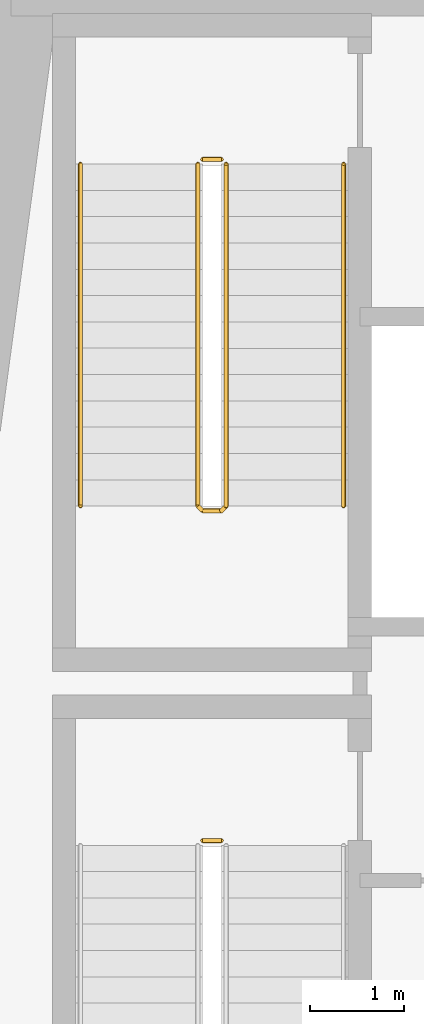
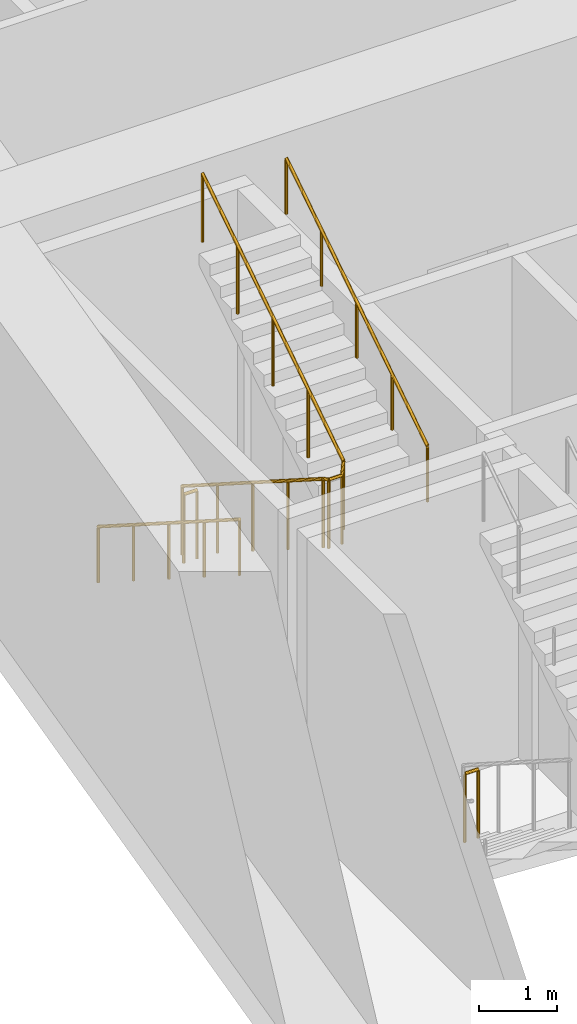
# One storey, part 10 of 12: 5 railings.
"""IFC4 building model written with IfcOpenShell, lengths in metres."""

from ifc_helpers import new_model, si_unit, direction, frame, origin, origin_2d, place, context, subcontext, project, spatial, circle, extrude, material, type_object, element, save


model = new_model("IFC4")

# Units and contexts
model_context = context("Model", 3, precision=1e-05, world=origin(), true_north=direction((0.0, 1.0)))
body_context = subcontext(model_context, "Body", "Model", "MODEL_VIEW")
ifc_project = project(units=[si_unit("LENGTHUNIT", "METRE"), si_unit("AREAUNIT", "SQUARE_METRE"), si_unit("VOLUMEUNIT", "CUBIC_METRE"), si_unit("PLANEANGLEUNIT", "RADIAN"), si_unit("MASSUNIT", "GRAM", prefix="KILO")], contexts=[model_context])

# Site, building, storey
site_placement = place(None, origin())
site = spatial("IfcSite", under=ifc_project, at=site_placement, CompositionType="ELEMENT")
building_placement = place(site_placement, origin())
building = spatial("IfcBuilding", under=site, at=building_placement, Name="Candeia Pilgrim Tower and Theatre", CompositionType="ELEMENT")
storey_placement = place(building_placement, frame((0.0, 0.0, 81.0)))
storey = spatial("IfcBuildingStorey", under=building, at=storey_placement, Name="L18", CompositionType="ELEMENT", Elevation=81.0)

# Railings
ifc_material_1 = material(Name="Stainless steel balustrade", Category="steel")
railing_type_1 = type_object("IfcRailingType", Name="RL-GUARD-1100", PredefinedType="GUARDRAIL", material=ifc_material_1)
railing_1_placement = place(storey_placement, frame((91.152099609375, 122.52490234375, 0.0)))
element("IfcRailing", 1, at=railing_1_placement, inside=storey, type_object=railing_type_1, Name="L18 ST1 stair guard 2", PredefinedType="GUARDRAIL", context=body_context, shape_type="SweptSolid", body=[
    extrude(circle(Radius=0.02392578125, at=origin_2d()), frame((0.0, 0.0, 1.076171875), z_axis=(1.0, 0.0, 0.0), x_axis=(0.0, 1.0, 0.0)), (0.0, 0.0, 1.0), 0.199951171875),
    extrude(circle(Radius=0.02099609375, at=origin_2d()), origin(), (0.0, 0.0, 1.0), 1.052001953125),
    extrude(circle(Radius=0.02099609375, at=origin_2d()), frame((0.199951171875, 0.0, 0.0)), (0.0, 0.0, 1.0), 1.052001953125),
])
railing_2_placement = place(storey_placement, frame((91.10205078125, 129.72509765625, 0.178466796875)))
element("IfcRailing", 2, at=railing_2_placement, inside=storey, type_object=railing_type_1, Name="L18 ST2 stair guard 1", PredefinedType="GUARDRAIL", context=body_context, shape_type="SweptSolid", body=[
    extrude(circle(Radius=0.02392578125, at=origin_2d()), frame((0.0, 0.0, 1.076171875), z_axis=(0.0, -0.843127859045, 0.537713132908), x_axis=(1.0, 0.0, 0.0)), (0.0, 0.0, 1.0), 4.3173828125),
    extrude(circle(Radius=0.02392578125, at=origin_2d()), frame((0.0, -3.64013671875, 3.3974609375), z_axis=(0.707106781187, -0.707106781187, 0.0), x_axis=(0.707106781187, 0.707106781187, 0.0)), (0.0, 0.0, 1.0), 0.07080078125),
    extrude(circle(Radius=0.02392578125, at=origin_2d()), frame((0.050048828125, -3.690185546875, 3.3974609375), z_axis=(1.0, 0.0, 0.0), x_axis=(0.0, 1.0, 0.0)), (0.0, 0.0, 1.0), 0.199951171875),
    extrude(circle(Radius=0.02392578125, at=origin_2d()), frame((0.25, -3.690185546875, 3.3974609375), z_axis=(0.260684529273, 0.260684529273, 0.929562882432), x_axis=(-0.707106781187, 0.707106781187, 0.0)), (0.0, 0.0, 1.0), 0.19189453125),
    extrude(circle(Radius=0.02392578125, at=origin_2d()), frame((0.300048828125, -3.64013671875, 3.576171875), z_axis=(0.0, 0.843127859045, 0.537713132908), x_axis=(-1.0, 0.0, 0.0)), (0.0, 0.0, 1.0), 4.3173828125),
    extrude(circle(Radius=0.02099609375, at=origin_2d()), origin(), (0.0, 0.0, 1.0), 1.052001953125),
    extrude(circle(Radius=0.02099609375, at=origin_2d()), frame((0.0, -0.91015625, 0.580322265625)), (0.0, 0.0, 1.0), 1.052001953125),
    extrude(circle(Radius=0.02099609375, at=origin_2d()), frame((0.0, -1.820068359375, 1.16064453125)), (0.0, 0.0, 1.0), 1.052001953125),
    extrude(circle(Radius=0.02099609375, at=origin_2d()), frame((0.0, -2.72998046875, 1.7412109375)), (0.0, 0.0, 1.0), 1.052001953125),
    extrude(circle(Radius=0.02099609375, at=origin_2d()), frame((0.0, -3.64013671875, 2.321533203125)), (0.0, 0.0, 1.0), 1.052001953125),
    extrude(circle(Radius=0.02099609375, at=origin_2d()), frame((0.050048828125, -3.690185546875, 2.321533203125)), (0.0, 0.0, 1.0), 1.052001953125),
    extrude(circle(Radius=0.02099609375, at=origin_2d()), frame((0.25, -3.690185546875, 2.321533203125)), (0.0, 0.0, 1.0), 1.052001953125),
    extrude(circle(Radius=0.02099609375, at=origin_2d()), frame((0.300048828125, -3.64013671875, 2.5)), (0.0, 0.0, 1.0), 1.052001953125),
    extrude(circle(Radius=0.02099609375, at=origin_2d()), frame((0.300048828125, -2.72998046875, 3.080322265625)), (0.0, 0.0, 1.0), 1.052001953125),
    extrude(circle(Radius=0.02099609375, at=origin_2d()), frame((0.300048828125, -1.820068359375, 3.66064453125)), (0.0, 0.0, 1.0), 1.052001953125),
    extrude(circle(Radius=0.02099609375, at=origin_2d()), frame((0.300048828125, -0.91015625, 4.2412109375)), (0.0, 0.0, 1.0), 1.052001953125),
    extrude(circle(Radius=0.02099609375, at=origin_2d()), frame((0.300048828125, 0.0, 4.821533203125)), (0.0, 0.0, 1.0), 1.052001953125),
])
railing_3_placement = place(storey_placement, frame((91.152099609375, 129.77490234375, 0.0)))
element("IfcRailing", 3, at=railing_3_placement, inside=storey, type_object=railing_type_1, Name="L18 ST2 stair guard 2", PredefinedType="GUARDRAIL", context=body_context, shape_type="SweptSolid", body=[
    extrude(circle(Radius=0.02392578125, at=origin_2d()), frame((0.0, 0.0, 1.076171875), z_axis=(1.0, 0.0, 0.0), x_axis=(0.0, 1.0, 0.0)), (0.0, 0.0, 1.0), 0.199951171875),
    extrude(circle(Radius=0.02099609375, at=origin_2d()), origin(), (0.0, 0.0, 1.0), 1.052001953125),
    extrude(circle(Radius=0.02099609375, at=origin_2d()), frame((0.199951171875, 0.0, 0.0)), (0.0, 0.0, 1.0), 1.052001953125),
])
ifc_material_2 = material(Name="Stainless steel handrail", Category="steel")
railing_type_2 = type_object("IfcRailingType", Name="RL-HANDRAIL-900", PredefinedType="HANDRAIL", material=ifc_material_2)
railing_4_placement = place(storey_placement, frame((89.85205078125, 129.72509765625, 0.178466796875)))
element("IfcRailing", 4, at=railing_4_placement, inside=storey, type_object=railing_type_2, Name="L18 ST2 stair handrail 1", PredefinedType="HANDRAIL", context=body_context, shape_type="SweptSolid", body=[
    extrude(circle(Radius=0.02392578125, at=origin_2d()), frame((0.0, 0.0, 0.8759765625), z_axis=(0.0, -0.843127859045, 0.537713132908), x_axis=(1.0, 0.0, 0.0)), (0.0, 0.0, 1.0), 4.3173828125),
    extrude(circle(Radius=0.02099609375, at=origin_2d()), origin(), (0.0, 0.0, 1.0), 0.851806640625),
    extrude(circle(Radius=0.02099609375, at=origin_2d()), frame((0.0, -0.91015625, 0.580322265625)), (0.0, 0.0, 1.0), 0.851806640625),
    extrude(circle(Radius=0.02099609375, at=origin_2d()), frame((0.0, -1.820068359375, 1.16064453125)), (0.0, 0.0, 1.0), 0.851806640625),
    extrude(circle(Radius=0.02099609375, at=origin_2d()), frame((0.0, -2.72998046875, 1.7412109375)), (0.0, 0.0, 1.0), 0.851806640625),
    extrude(circle(Radius=0.02099609375, at=origin_2d()), frame((0.0, -3.64013671875, 2.321533203125)), (0.0, 0.0, 1.0), 0.851806640625),
])
railing_5_placement = place(storey_placement, frame((92.652099609375, 126.0849609375, 2.678466796875)))
element("IfcRailing", 5, at=railing_5_placement, inside=storey, type_object=railing_type_2, Name="L18 ST2 stair handrail 2", PredefinedType="HANDRAIL", context=body_context, shape_type="SweptSolid", body=[
    extrude(circle(Radius=0.02392578125, at=origin_2d()), frame((0.0, 0.0, 0.8759765625), z_axis=(0.0, 0.843127859045, 0.537713132908), x_axis=(-1.0, 0.0, 0.0)), (0.0, 0.0, 1.0), 4.3173828125),
    extrude(circle(Radius=0.02099609375, at=origin_2d()), origin(), (0.0, 0.0, 1.0), 0.851806640625),
    extrude(circle(Radius=0.02099609375, at=origin_2d()), frame((0.0, 0.91015625, 0.580322265625)), (0.0, 0.0, 1.0), 0.851806640625),
    extrude(circle(Radius=0.02099609375, at=origin_2d()), frame((0.0, 1.820068359375, 1.16064453125)), (0.0, 0.0, 1.0), 0.851806640625),
    extrude(circle(Radius=0.02099609375, at=origin_2d()), frame((0.0, 2.72998046875, 1.7412109375)), (0.0, 0.0, 1.0), 0.851806640625),
    extrude(circle(Radius=0.02099609375, at=origin_2d()), frame((0.0, 3.64013671875, 2.321533203125)), (0.0, 0.0, 1.0), 0.851806640625),
])

save(model, "model.ifc")
